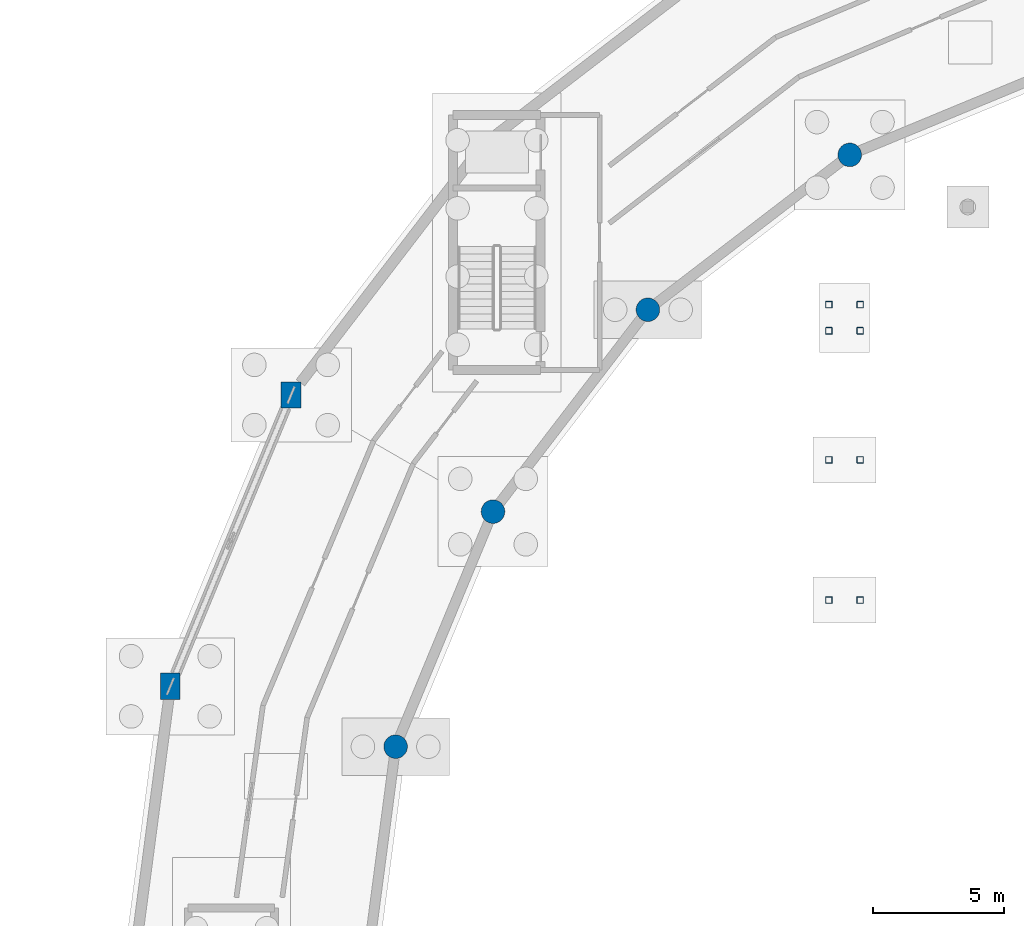
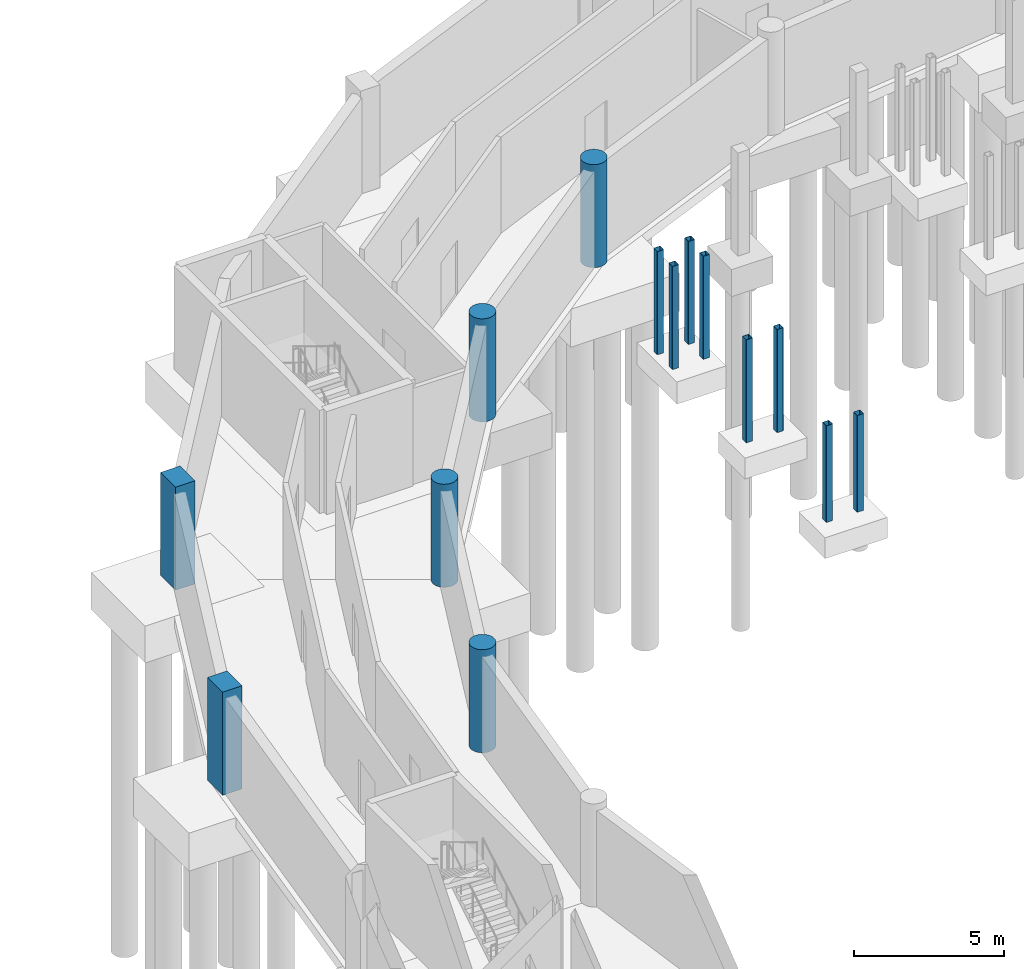
# One storey, part 16 of 43: 14 columns.
"""IFC4 building model written with IfcOpenShell, lengths in metres."""

from ifc_helpers import new_model, si_unit, direction, frame, origin, origin_2d, place, context, subcontext, project, spatial, rectangle, hollow_rectangle, circle, extrude, material, material_profile, profile_set, type_object, element, save


model = new_model("IFC4")

# Units and contexts
model_context = context("Model", 3, precision=1e-05, world=origin(), true_north=direction((0.0, 1.0)))
body_context = subcontext(model_context, "Body", "Model", "MODEL_VIEW")
ifc_project = project(units=[si_unit("LENGTHUNIT", "METRE"), si_unit("AREAUNIT", "SQUARE_METRE"), si_unit("VOLUMEUNIT", "CUBIC_METRE"), si_unit("PLANEANGLEUNIT", "RADIAN"), si_unit("MASSUNIT", "GRAM", prefix="KILO")], contexts=[model_context])

# Site, building, storey
site_placement = place(None, origin())
site = spatial("IfcSite", under=ifc_project, at=site_placement, CompositionType="ELEMENT")
building_placement = place(site_placement, origin())
building = spatial("IfcBuilding", under=site, at=building_placement, Name="Vespera Passage Community Centre", CompositionType="ELEMENT")
storey_placement = place(building_placement, frame((0.0, 0.0, -4.199951171875)))
storey = spatial("IfcBuildingStorey", under=building, at=storey_placement, Name="B1", CompositionType="ELEMENT", Elevation=-4.199951171875)

# Columns
ifc_material_1 = material(Name="Steel ASTM A500 Grade C", Category="steel")
ifc_material_profile_1 = material_profile(ifc_material_1, hollow_rectangle(XDim=0.25390625, YDim=0.25390625, WallThickness=0.01171875, InnerFilletRadius=0.01171875, OuterFilletRadius=0.023681640625, at=origin_2d()), Name="HSS254X254X12.7")
ifc_profile_set_1 = profile_set([ifc_material_profile_1], Name="Steel ASTM A500 Grade C")
column_type_1 = type_object("IfcColumnType", Name="COL-HSS254E", PredefinedType="COLUMN", material=ifc_profile_set_1)
for number, where, z_axis, x_axis, name in (
    (1, (59.794921875, 80.72509765625, 0.0), (0.0, 0.0, 1.0), (1.0, 0.0, 0.0), "ST-CRT-04 Base Column B1"),
    (2, (58.60498046875, 80.72509765625, 0.0), (0.0, 0.0, 1.0), (1.0, 0.0, 0.0), "ST-CRT-04 Base Column B2"),
):
    element("IfcColumn", number, at=place(storey_placement, frame(where, z_axis=z_axis, x_axis=x_axis)), inside=storey, type_object=column_type_1, Name=name, PredefinedType="COLUMN", context=body_context, shape_type="SweptSolid", body=[
        extrude(hollow_rectangle(XDim=0.25390625, YDim=0.25390625, WallThickness=0.01171875, InnerFilletRadius=0.01171875, OuterFilletRadius=0.023681640625, at=origin_2d()), origin(), (0.0, 0.0, 1.0), 3.93994140625),
    ])
for number, where, z_axis, x_axis, name in (
    (3, (59.794921875, 86.074951171875, 0.0), (0.0, 0.0, 1.0), (1.0, 0.0, 0.0), "ST-CRT-04 Base Column M1"),
    (4, (58.60498046875, 86.074951171875, 0.0), (0.0, 0.0, 1.0), (1.0, 0.0, 0.0), "ST-CRT-04 Base Column M2"),
    (5, (59.794921875, 91.0, 0.0), (0.0, 0.0, 1.0), (1.0, 0.0, 0.0), "ST-CRT-04 Base Column T1"),
    (6, (58.60498046875, 91.0, 0.0), (0.0, 0.0, 1.0), (1.0, 0.0, 0.0), "ST-CRT-04 Base Column T2"),
    (7, (59.794921875, 92.0, 0.0), (0.0, 0.0, 1.0), (1.0, 0.0, 0.0), "ST-CRT-04 Base Column TF1"),
    (8, (58.60498046875, 92.0, 0.0), (0.0, 0.0, 1.0), (1.0, 0.0, 0.0), "ST-CRT-04 Base Column TF2"),
):
    element("IfcColumn", number, at=place(storey_placement, frame(where, z_axis=z_axis, x_axis=x_axis)), inside=storey, type_object=column_type_1, Name=name, PredefinedType="COLUMN", context=body_context, shape_type="SweptSolid", body=[
        extrude(hollow_rectangle(XDim=0.25390625, YDim=0.25390625, WallThickness=0.01171875, InnerFilletRadius=0.01171875, OuterFilletRadius=0.023681640625, at=origin_2d()), origin(), (0.0, 0.0, 1.0), 4.199951171875),
    ])
ifc_material_2 = material(Name="Concrete f'c 45 MPa", Category="concrete")
ifc_material_profile_2 = material_profile(ifc_material_2, rectangle(XDim=0.75, YDim=1.0, at=origin_2d()), Name="RC1000X750")
ifc_profile_set_2 = profile_set([ifc_material_profile_2], Name="Concrete f'c 45 MPa")
column_type_2 = type_object("IfcColumnType", Name="COL-RC1000X750E", PredefinedType="COLUMN", material=ifc_profile_set_2)
for number, where, z_axis, x_axis, name in (
    (9, (38.076171875, 88.550048828125, 0.0), (0.0, 0.0, 1.0), (1.0, 0.0, 0.0), "B1 Column V4-O10"),
    (10, (33.470703125, 77.431640625, 0.0), (0.0, 0.0, 1.0), (1.0, 0.0, 0.0), "B1 Column V4-O11"),
):
    element("IfcColumn", number, at=place(storey_placement, frame(where, z_axis=z_axis, x_axis=x_axis)), inside=storey, type_object=column_type_2, Name=name, PredefinedType="COLUMN", context=body_context, shape_type="SweptSolid", body=[
        extrude(rectangle(XDim=0.75, YDim=1.0, at=origin_2d()), origin(), (0.0, 0.0, 1.0), 4.199951171875),
    ])
ifc_material_3 = material(Name="Concrete f'c 45 MPa", Category="concrete")
ifc_material_profile_3 = material_profile(ifc_material_3, circle(Radius=0.449951171875, at=origin_2d()), Name="RC900DIA")
ifc_profile_set_3 = profile_set([ifc_material_profile_3], Name="Concrete f'c 45 MPa")
column_type_3 = type_object("IfcColumnType", Name="COL-RC900DIAE", PredefinedType="COLUMN", material=ifc_profile_set_3)
for number, where, z_axis, x_axis, name in (
    (11, (59.39990234375, 97.716064453125, 0.0), (0.0, 0.0, 1.0), (1.0, 0.0, 0.0), "B1 Column V4-I08"),
    (12, (51.695556640625, 91.804443359375, 0.0), (0.0, 0.0, 1.0), (1.0, 0.0, 0.0), "B1 Column V4-I09"),
    (13, (45.783935546875, 84.10009765625, 0.0), (0.0, 0.0, 1.0), (1.0, 0.0, 0.0), "B1 Column V4-I10"),
    (14, (42.067626953125, 75.128173828125, 0.0), (0.0, 0.0, 1.0), (1.0, 0.0, 0.0), "B1 Column V4-I11"),
):
    element("IfcColumn", number, at=place(storey_placement, frame(where, z_axis=z_axis, x_axis=x_axis)), inside=storey, type_object=column_type_3, Name=name, PredefinedType="COLUMN", context=body_context, shape_type="SweptSolid", body=[
        extrude(circle(Radius=0.449951171875, at=origin_2d()), origin(), (0.0, 0.0, 1.0), 4.199951171875),
    ])

save(model, "model.ifc")
